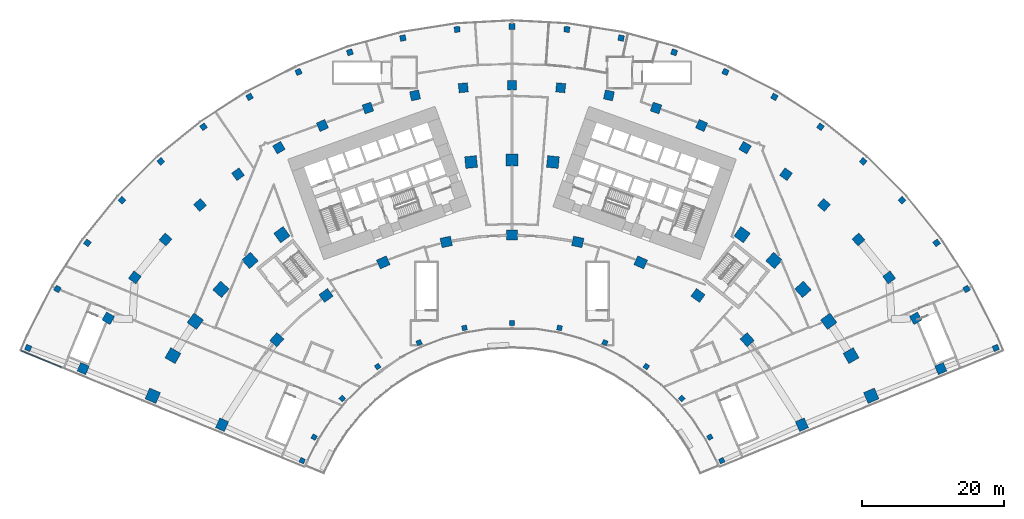
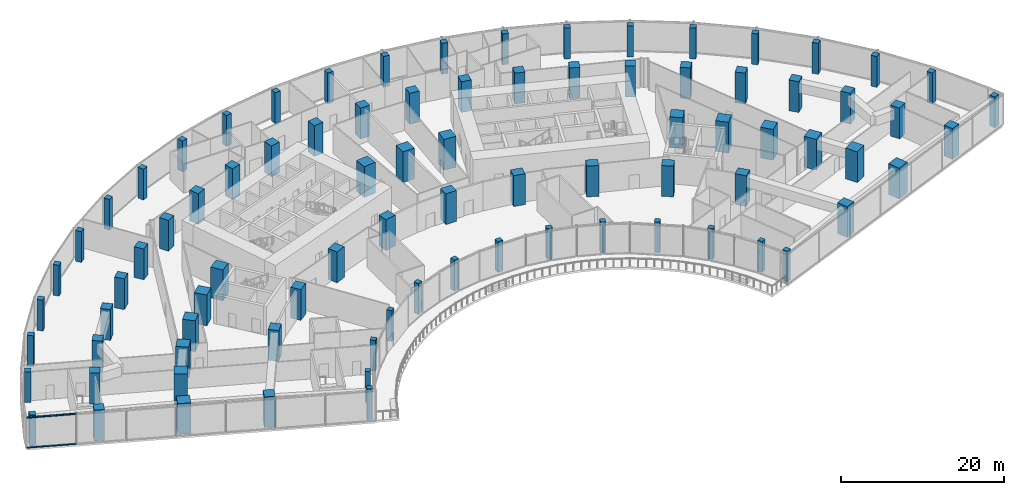
# One storey, part 1 of 33: 85 columns, 2 members, 1 element without a shape of its own.
"""IFC4 building model written with IfcOpenShell, lengths in metres."""

from ifc_helpers import new_model, si_unit, direction, frame, origin, origin_2d, place, context, subcontext, project, spatial, rectangle, extrude, material, layer, layer_set, material_profile, profile_set, type_object, element, aggregate, save


model = new_model("IFC4")

# Units and contexts
model_context = context("Model", 3, precision=1e-05, world=origin(), true_north=direction((0.0, 1.0)))
body_context = subcontext(model_context, "Body", "Model", "MODEL_VIEW")
ifc_project = project(units=[si_unit("LENGTHUNIT", "METRE"), si_unit("AREAUNIT", "SQUARE_METRE"), si_unit("VOLUMEUNIT", "CUBIC_METRE"), si_unit("PLANEANGLEUNIT", "RADIAN"), si_unit("MASSUNIT", "GRAM", prefix="KILO")], contexts=[model_context])

# Site, building, storey
site_placement = place(None, origin())
site = spatial("IfcSite", under=ifc_project, at=site_placement, CompositionType="ELEMENT")
building_placement = place(site_placement, origin())
building = spatial("IfcBuilding", under=site, at=building_placement, Name="Stone Belt Terrace Tower", CompositionType="ELEMENT")
storey_placement = place(building_placement, frame((0.0, 0.0, 25.39990234375)))
storey = spatial("IfcBuildingStorey", under=building, at=storey_placement, Name="L05", CompositionType="ELEMENT", Elevation=25.39990234375)

# Columns
ifc_material_1 = material(Name="Concrete B80", Category="concrete")
ifc_material_profile_1 = material_profile(ifc_material_1, rectangle(XDim=1.300048828125, YDim=1.300048828125, at=origin_2d()), Name="RC 1300x1300")
ifc_profile_set_1 = profile_set([ifc_material_profile_1], Name="Concrete B80")
column_type_1 = type_object("IfcColumnType", Name="Column RC 1300x1300 B80", PredefinedType="COLUMN", material=ifc_profile_set_1)
for number, where, z_axis, x_axis, name in (
    (1, (-60.24169921875, 25.68505859375, 0.0), (0.0, 0.0, 1.0), (0.392203865004, 0.919878322538, 0.0), "Column L05 RA"),
    (2, (-56.715087890625, 32.744384765625, 0.0), (0.0, 0.0, 1.0), (0.5, 0.866025403784, 0.0), "Column L05 R12"),
    (3, (-52.981689453125, 38.493408203125, 0.0), (0.0, 0.0, 1.0), (0.587785252292, 0.809016994375, 0.0), "Column L05 R13"),
    (4, (-48.667724609375, 43.820556640625, 0.0), (0.0, 0.0, 1.0), (0.669130606359, 0.743144825477, 0.0), "Column L05 R14"),
    (5, (-43.820556640625, 48.667724609375, 0.0), (0.0, 0.0, 1.0), (0.743144825477, 0.669130606359, 0.0), "Column L05 R15"),
    (6, (-38.493408203125, 52.981689453125, 0.0), (0.0, 0.0, 1.0), (0.809016994375, 0.587785252292, 0.0), "Column L05 R16"),
    (7, (-32.744384765625, 56.715087890625, 0.0), (0.0, 0.0, 1.0), (0.866025403784, 0.5, 0.0), "Column L05 R17"),
    (8, (-26.63671875, 59.8271484375, 0.0), (0.0, 0.0, 1.0), (0.913545457643, 0.406736643076, 0.0), "Column L05 R18"),
    (9, (-20.2373046875, 62.28369140625, 0.0), (0.0, 0.0, 1.0), (0.951056516295, 0.309016994375, 0.0), "Column L05 R19"),
    (10, (-13.615966796875, 64.057861328125, 0.0), (0.0, 0.0, 1.0), (0.978147600734, 0.207911690818, 0.0), "Column L05 R20"),
    (11, (-6.845458984375, 65.130126953125, 0.0), (0.0, 0.0, 1.0), (0.994521895368, 0.104528463268, 0.0), "Column L05 R21"),
    (12, (0.0, 65.489013671875, 0.0), (0.0, 0.0, 1.0), (1.0, 0.0, 0.0), "Column L05 R22"),
    (13, (6.845458984375, 65.130126953125, 0.0), (0.0, 0.0, 1.0), (0.994521895368, -0.104528463268, 0.0), "Column L05 R23"),
    (14, (13.615966796875, 64.057861328125, 0.0), (0.0, 0.0, 1.0), (0.978147600734, -0.207911690818, 0.0), "Column L05 R24"),
    (15, (20.2373046875, 62.28369140625, 0.0), (0.0, 0.0, 1.0), (0.951056516295, -0.309016994375, 0.0), "Column L05 R25"),
    (16, (26.63671875, 59.8271484375, 0.0), (0.0, 0.0, 1.0), (0.913545457643, -0.406736643076, 0.0), "Column L05 R26"),
    (17, (32.744384765625, 56.715087890625, 0.0), (0.0, 0.0, 1.0), (0.866025403784, -0.5, 0.0), "Column L05 R27"),
    (18, (38.493408203125, 52.981689453125, 0.0), (0.0, 0.0, 1.0), (0.809016994375, -0.587785252292, 0.0), "Column L05 R28"),
    (19, (43.820556640625, 48.667724609375, 0.0), (0.0, 0.0, 1.0), (0.743144825477, -0.669130606359, 0.0), "Column L05 R29"),
    (20, (48.667724609375, 43.820556640625, 0.0), (0.0, 0.0, 1.0), (0.669130606359, -0.743144825477, 0.0), "Column L05 R30"),
    (21, (52.981689453125, 38.493408203125, 0.0), (0.0, 0.0, 1.0), (0.587785252292, -0.809016994375, 0.0), "Column L05 R31"),
    (22, (56.715087890625, 32.744384765625, 0.0), (0.0, 0.0, 1.0), (0.5, -0.866025403784, 0.0), "Column L05 R32"),
    (23, (60.24169921875, 25.68505859375, 0.0), (0.0, 0.0, 1.0), (0.392203865004, -0.919878322538, 0.0), "Column L05 RB"),
):
    element("IfcColumn", number, at=place(storey_placement, frame(where, z_axis=z_axis, x_axis=x_axis)), inside=storey, type_object=column_type_1, Name=name, PredefinedType="COLUMN", context=body_context, shape_type="SweptSolid", body=[
        extrude(rectangle(XDim=1.300048828125, YDim=1.300048828125, at=origin_2d()), origin(), (0.0, 0.0, 1.0), 4.60009765625),
    ])
ifc_material_profile_2 = material_profile(ifc_material_1, rectangle(XDim=1.5, YDim=1.35009765625, at=origin_2d()), Name="RC 1500x1350")
ifc_profile_set_2 = profile_set([ifc_material_profile_2], Name="Concrete B80")
column_type_2 = type_object("IfcColumnType", Name="Column RC 1500x1350 B80", PredefinedType="COLUMN", material=ifc_profile_set_2)
for number, where, z_axis, x_axis, name in (
    (24, (-40.727294921875, 17.794677734375, 0.0), (0.0, 0.0, 1.0), (0.40037622141, 0.916350850564, 0.0), "Column L05 PA"),
    (25, (-33.029052734375, 29.739501953125, 0.0), (0.0, 0.0, 1.0), (0.669130606359, 0.743144825477, 0.0), "Column L05 P14"),
    (26, (-26.1240234375, 35.956787109375, 0.0), (0.0, 0.0, 1.0), (0.809016994375, 0.587785252292, 0.0), "Column L05 P16"),
    (27, (-18.077392578125, 40.6025390625, 0.0), (0.0, 0.0, 1.0), (0.913545457643, 0.406736643076, 0.0), "Column L05 P18"),
    (28, (-9.240478515625, 43.473876953125, 0.0), (0.0, 0.0, 1.0), (0.978147600734, 0.207911690818, 0.0), "Column L05 P20"),
    (29, (0.0, 44.445068359375, 0.0), (0.0, 0.0, 1.0), (1.0, 0.0, 0.0), "Column L05 P22"),
    (30, (9.240478515625, 43.473876953125, 0.0), (0.0, 0.0, 1.0), (0.978147600734, -0.207911690818, 0.0), "Column L05 P24"),
    (31, (18.077392578125, 40.6025390625, 0.0), (0.0, 0.0, 1.0), (0.913545457643, -0.406736643076, 0.0), "Column L05 P26"),
    (32, (26.1240234375, 35.956787109375, 0.0), (0.0, 0.0, 1.0), (0.809016994375, -0.587785252292, 0.0), "Column L05 P28"),
    (33, (33.029052734375, 29.739501953125, 0.0), (0.0, 0.0, 1.0), (0.669130606359, -0.743144825477, 0.0), "Column L05 P30"),
    (34, (40.727294921875, 17.794677734375, 0.0), (0.0, 0.0, 1.0), (0.40037622141, -0.916350850564, 0.0), "Column L05 PB"),
):
    element("IfcColumn", number, at=place(storey_placement, frame(where, z_axis=z_axis, x_axis=x_axis)), inside=storey, type_object=column_type_2, Name=name, PredefinedType="COLUMN", context=body_context, shape_type="SweptSolid", body=[
        extrude(rectangle(XDim=1.5, YDim=1.35009765625, at=origin_2d()), origin(), (0.0, 0.0, 1.0), 4.60009765625),
    ])
ifc_material_profile_3 = material_profile(ifc_material_1, rectangle(XDim=1.64990234375, YDim=1.64990234375, at=origin_2d()), Name="RC 1650x1650")
ifc_profile_set_3 = profile_set([ifc_material_profile_3], Name="Concrete B80")
column_type_3 = type_object("IfcColumnType", Name="Column RC 1650x1650 B80", PredefinedType="COLUMN", material=ifc_profile_set_3)
for number, where, z_axis, x_axis, name in (
    (35, (-50.466064453125, 21.867431640625, 0.0), (0.0, 0.0, 1.0), (0.397588335471, 0.917563902678, 0.0), "Column L05 QA"),
    (36, (-47.63134765625, 27.5, 0.0), (0.0, 0.0, 1.0), (0.5, 0.866025403784, 0.0), "Column L05 Q12"),
    (37, (-44.495849609375, 32.328125, 0.0), (0.0, 0.0, 1.0), (0.587785252292, 0.809016994375, 0.0), "Column L05 Q13"),
    (38, (-40.873046875, 36.80224609375, 0.0), (0.0, 0.0, 1.0), (0.669130606359, 0.743144825477, 0.0), "Column L05 Q14"),
    (39, (-36.80224609375, 40.873046875, 0.0), (0.0, 0.0, 1.0), (0.743144825477, 0.669130606359, 0.0), "Column L05 Q15"),
    (40, (-32.328125, 44.495849609375, 0.0), (0.0, 0.0, 1.0), (0.809016994375, 0.587785252292, 0.0), "Column L05 Q16"),
    (41, (-5.7490234375, 54.69873046875, 0.0), (0.0, 0.0, 1.0), (0.994521895368, 0.104528463268, 0.0), "Column L05 Q21"),
    (42, (0.0, 55.0, 0.0), (0.0, 0.0, 1.0), (1.0, 0.0, 0.0), "Column L05 Q22"),
    (43, (5.7490234375, 54.69873046875, 0.0), (0.0, 0.0, 1.0), (0.994521895368, -0.104528463268, 0.0), "Column L05 Q23"),
    (44, (32.328125, 44.495849609375, 0.0), (0.0, 0.0, 1.0), (0.809016994375, -0.587785252292, 0.0), "Column L05 Q28"),
    (45, (36.80224609375, 40.873046875, 0.0), (0.0, 0.0, 1.0), (0.743144825477, -0.669130606359, 0.0), "Column L05 Q29"),
    (46, (40.873046875, 36.80224609375, 0.0), (0.0, 0.0, 1.0), (0.669130606359, -0.743144825477, 0.0), "Column L05 Q30"),
    (47, (44.495849609375, 32.328125, 0.0), (0.0, 0.0, 1.0), (0.587785252292, -0.809016994375, 0.0), "Column L05 Q31"),
    (48, (47.63134765625, 27.5, 0.0), (0.0, 0.0, 1.0), (0.5, -0.866025403784, 0.0), "Column L05 Q32"),
    (49, (50.466064453125, 21.867431640625, 0.0), (0.0, 0.0, 1.0), (0.397588335471, -0.917563902678, 0.0), "Column L05 QB"),
):
    element("IfcColumn", number, at=place(storey_placement, frame(where, z_axis=z_axis, x_axis=x_axis)), inside=storey, type_object=column_type_3, Name=name, PredefinedType="COLUMN", context=body_context, shape_type="SweptSolid", body=[
        extrude(rectangle(XDim=1.64990234375, YDim=1.64990234375, at=origin_2d()), origin(), (0.0, 0.0, 1.0), 4.60009765625),
    ])
ifc_material_2 = material(Name="Concrete B60", Category="concrete")
ifc_material_profile_4 = material_profile(ifc_material_2, rectangle(XDim=0.699951171875, YDim=0.699951171875, at=origin_2d()), Name="RC 700x700")
ifc_profile_set_4 = profile_set([ifc_material_profile_4], Name="Concrete B60")
column_type_4 = type_object("IfcColumnType", Name="Column RC 700x700 B60", PredefinedType="COLUMN", material=ifc_profile_set_4)
for number, where, z_axis, x_axis, name in (
    (50, (-29.46142578125, 12.7451171875, 0.0), (0.0, 0.0, 1.0), (0.39704377212, 0.917799674777, 0.0), "Column L05 OA"),
    (51, (-27.79931640625, 16.050048828125, 0.0), (0.0, 0.0, 1.0), (0.5, 0.866025403784, 0.0), "Column L05 O12"),
    (52, (-23.85498046875, 21.47900390625, 0.0), (0.0, 0.0, 1.0), (0.669130606359, 0.743144825477, 0.0), "Column L05 O14"),
    (53, (-18.867919921875, 25.969482421875, 0.0), (0.0, 0.0, 1.0), (0.809016994375, 0.587785252292, 0.0), "Column L05 O16"),
    (54, (-13.05615234375, 29.32470703125, 0.0), (0.0, 0.0, 1.0), (0.913545457643, 0.406736643076, 0.0), "Column L05 O18"),
    (55, (-6.674072265625, 31.3984375, 0.0), (0.0, 0.0, 1.0), (0.978147600734, 0.207911690818, 0.0), "Column L05 O20"),
    (56, (0.0, 32.10009765625, 0.0), (0.0, 0.0, 1.0), (1.0, 0.0, 0.0), "Column L05 O22"),
    (57, (6.674072265625, 31.3984375, 0.0), (0.0, 0.0, 1.0), (0.978147600734, -0.207911690818, 0.0), "Column L05 O24"),
    (58, (13.05615234375, 29.32470703125, 0.0), (0.0, 0.0, 1.0), (0.913545457643, -0.406736643076, 0.0), "Column L05 O26"),
    (59, (18.867919921875, 25.969482421875, 0.0), (0.0, 0.0, 1.0), (0.809016994375, -0.587785252292, 0.0), "Column L05 O28"),
    (60, (23.85498046875, 21.47900390625, 0.0), (0.0, 0.0, 1.0), (0.669130606359, -0.743144825477, 0.0), "Column L05 O30"),
    (61, (27.79931640625, 16.050048828125, 0.0), (0.0, 0.0, 1.0), (0.5, -0.866025403784, 0.0), "Column L05 O32"),
    (62, (29.46142578125, 12.7451171875, 0.0), (0.0, 0.0, 1.0), (0.39704377212, -0.917799674777, 0.0), "Column L05 OB"),
):
    element("IfcColumn", number, at=place(storey_placement, frame(where, z_axis=z_axis, x_axis=x_axis)), inside=storey, type_object=column_type_4, Name=name, PredefinedType="COLUMN", context=body_context, shape_type="SweptSolid", body=[
        extrude(rectangle(XDim=0.699951171875, YDim=0.699951171875, at=origin_2d()), origin(), (0.0, 0.0, 1.0), 4.60009765625),
    ])
ifc_material_profile_5 = material_profile(ifc_material_2, rectangle(XDim=0.800048828125, YDim=0.800048828125, at=origin_2d()), Name="RC 800x800")
ifc_profile_set_5 = profile_set([ifc_material_profile_5], Name="Concrete B60")
column_type_5 = type_object("IfcColumnType", Name="Column RC 800x800 B60", PredefinedType="COLUMN", material=ifc_profile_set_5)
for number, where, z_axis, x_axis, name in (
    (63, (-67.96337890625, 28.57958984375, 0.0), (0.0, 0.0, 1.0), (0.387636254736, 0.921812418019, 0.0), "Column L05 SA"),
    (64, (-63.85009765625, 36.864013671875, 0.0), (0.0, 0.0, 1.0), (0.5, 0.866025403784, 0.0), "Column L05 S12"),
    (65, (-59.647216796875, 43.336181640625, 0.0), (0.0, 0.0, 1.0), (0.587785252292, 0.809016994375, 0.0), "Column L05 S13"),
    (66, (-54.79052734375, 49.33349609375, 0.0), (0.0, 0.0, 1.0), (0.669130606359, 0.743144825477, 0.0), "Column L05 S14"),
    (67, (-49.33349609375, 54.79052734375, 0.0), (0.0, 0.0, 1.0), (0.743144825477, 0.669130606359, 0.0), "Column L05 S15"),
    (68, (-43.336181640625, 59.647216796875, 0.0), (0.0, 0.0, 1.0), (0.809016994375, 0.587785252292, 0.0), "Column L05 S16"),
    (69, (-36.864013671875, 63.85009765625, 0.0), (0.0, 0.0, 1.0), (0.866025403784, 0.5, 0.0), "Column L05 S17"),
    (70, (-29.98779296875, 67.353759765625, 0.0), (0.0, 0.0, 1.0), (0.913545457643, 0.406736643076, 0.0), "Column L05 S18"),
    (71, (-22.783203125, 70.119384765625, 0.0), (0.0, 0.0, 1.0), (0.951056516295, 0.309016994375, 0.0), "Column L05 S19"),
    (72, (-15.328857421875, 72.11669921875, 0.0), (0.0, 0.0, 1.0), (0.978147600734, 0.207911690818, 0.0), "Column L05 S20"),
    (73, (-7.706787109375, 73.323974609375, 0.0), (0.0, 0.0, 1.0), (0.994521895368, 0.104528463268, 0.0), "Column L05 S21"),
    (74, (0.0, 73.727783203125, 0.0), (0.0, 0.0, 1.0), (1.0, 0.0, 0.0), "Column L05 S22"),
    (75, (7.706787109375, 73.323974609375, 0.0), (0.0, 0.0, 1.0), (0.994521895368, -0.104528463268, 0.0), "Column L05 S23"),
    (76, (15.328857421875, 72.11669921875, 0.0), (0.0, 0.0, 1.0), (0.978147600734, -0.207911690818, 0.0), "Column L05 S24"),
    (77, (22.783203125, 70.119384765625, 0.0), (0.0, 0.0, 1.0), (0.951056516295, -0.309016994375, 0.0), "Column L05 S25"),
    (78, (29.98779296875, 67.353759765625, 0.0), (0.0, 0.0, 1.0), (0.913545457643, -0.406736643076, 0.0), "Column L05 S26"),
    (79, (36.864013671875, 63.85009765625, 0.0), (0.0, 0.0, 1.0), (0.866025403784, -0.5, 0.0), "Column L05 S27"),
    (80, (43.336181640625, 59.647216796875, 0.0), (0.0, 0.0, 1.0), (0.809016994375, -0.587785252292, 0.0), "Column L05 S28"),
    (81, (49.33349609375, 54.79052734375, 0.0), (0.0, 0.0, 1.0), (0.743144825477, -0.669130606359, 0.0), "Column L05 S29"),
    (82, (54.79052734375, 49.33349609375, 0.0), (0.0, 0.0, 1.0), (0.669130606359, -0.743144825477, 0.0), "Column L05 S30"),
    (83, (59.647216796875, 43.336181640625, 0.0), (0.0, 0.0, 1.0), (0.587785252292, -0.809016994375, 0.0), "Column L05 S31"),
    (84, (63.85009765625, 36.864013671875, 0.0), (0.0, 0.0, 1.0), (0.5, -0.866025403784, 0.0), "Column L05 S32"),
    (85, (67.96337890625, 28.57958984375, 0.0), (0.0, 0.0, 1.0), (0.387636254736, -0.921812418019, 0.0), "Column L05 SB"),
):
    element("IfcColumn", number, at=place(storey_placement, frame(where, z_axis=z_axis, x_axis=x_axis)), inside=storey, type_object=column_type_5, Name=name, PredefinedType="COLUMN", context=body_context, shape_type="SweptSolid", body=[
        extrude(rectangle(XDim=0.800048828125, YDim=0.800048828125, at=origin_2d()), origin(), (0.0, 0.0, 1.0), 4.60009765625),
    ])

# Curtain wall, members
ifc_material_3 = material(Name="Aluminium 6063-T6 anodised frame", Category="aluminium")
ifc_layer = layer(ifc_material_3, 0.14990234375)
ifc_layer_set = layer_set([ifc_layer], Name="CW-D podium shopfront")
curtain_wall_type = type_object("IfcCurtainWallType", Name="CW-D podium shopfront", PredefinedType="NOTDEFINED", material=ifc_layer_set)
curtain_wall_placement = place(storey_placement, origin())
curtain_wall = element("IfcCurtainWall", 86, at=curtain_wall_placement, inside=storey, type_object=curtain_wall_type, Name="CW-D end face L05", PredefinedType="NOTDEFINED")
ifc_material_profile_6 = material_profile(ifc_material_3, rectangle(XDim=0.14990234375, YDim=0.139892578125, at=origin_2d()), Name="Aluminium 6063-T6 150x140")
ifc_profile_set_6 = profile_set([ifc_material_profile_6], Name="Aluminium 6063-T6 anodised frame")
member_type = type_object("IfcMemberType", Name="CW-D transom 140 x 150", PredefinedType="USERDEFINED", material=ifc_profile_set_6)
member_1_placement = place(storey_placement, frame((-68.964599609375, 28.184814453125, 0.070068359375), z_axis=(0.925298707368, -0.379239109458, 0.0), x_axis=(0.379239109458, 0.925298707368, 0.0)))
member_1 = element("IfcMember", 87, at=member_1_placement, type_object=member_type, Name="CW-D transom 1.1", ObjectType="TRANSOM", PredefinedType="USERDEFINED", context=body_context, shape_type="SweptSolid", body=[
    extrude(rectangle(XDim=0.14990234375, YDim=0.139892578125, at=origin_2d()), origin(), (0.0, 0.0, 1.0), 6.114501953125),
])
member_2_placement = place(storey_placement, frame((-68.964599609375, 28.184814453125, 4.530029296875), z_axis=(0.925298707368, -0.379239109458, 0.0), x_axis=(0.379239109458, 0.925298707368, 0.0)))
member_2 = element("IfcMember", 88, at=member_2_placement, type_object=member_type, Name="CW-D transom 1.2", ObjectType="TRANSOM", PredefinedType="USERDEFINED", context=body_context, shape_type="SweptSolid", body=[
    extrude(rectangle(XDim=0.14990234375, YDim=0.139892578125, at=origin_2d()), origin(), (0.0, 0.0, 1.0), 6.114501953125),
])
aggregate(curtain_wall, [member_1, member_2])

save(model, "model.ifc")
